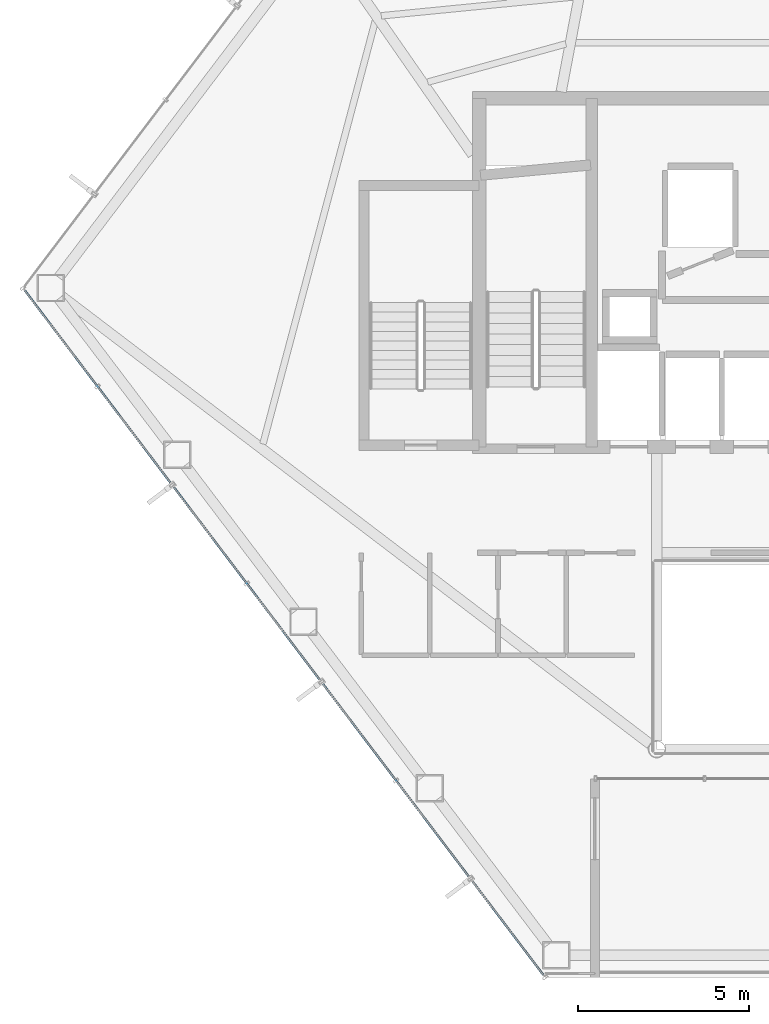
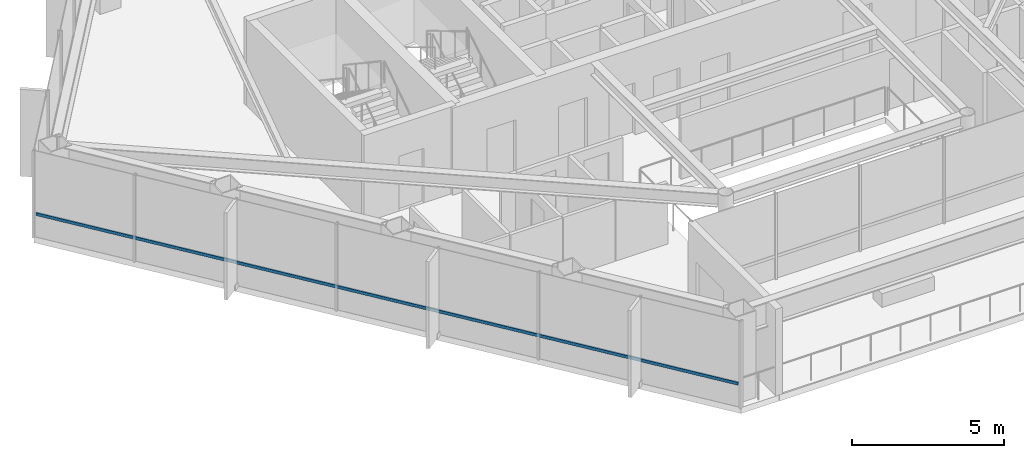
# One storey, part 3 of 28: 1 member, 1 element without a shape of its own.
"""IFC4 building model written with IfcOpenShell, lengths in metres."""

from ifc_helpers import new_model, si_unit, direction, frame, origin, origin_2d, place, context, subcontext, project, spatial, hollow_rectangle, extrude, material, layer, layer_set, material_profile, profile_set, type_object, element, aggregate, save


model = new_model("IFC4")

# Units and contexts
model_context = context("Model", 3, precision=1e-05, world=origin(), true_north=direction((0.0, 1.0)))
body_context = subcontext(model_context, "Body", "Model", "MODEL_VIEW")
ifc_project = project(units=[si_unit("LENGTHUNIT", "METRE"), si_unit("AREAUNIT", "SQUARE_METRE"), si_unit("VOLUMEUNIT", "CUBIC_METRE"), si_unit("PLANEANGLEUNIT", "RADIAN"), si_unit("MASSUNIT", "GRAM", prefix="KILO")], contexts=[model_context])

# Site, building, storey
site_placement = place(None, origin())
site = spatial("IfcSite", under=ifc_project, at=site_placement, CompositionType="ELEMENT")
building_placement = place(site_placement, origin())
building = spatial("IfcBuilding", under=site, at=building_placement, Name="Zarrinselat Tower", CompositionType="ELEMENT")
storey_placement = place(building_placement, frame((0.0, 0.0, 157.080078125)))
storey = spatial("IfcBuildingStorey", under=building, at=storey_placement, Name="L38", CompositionType="ELEMENT", Elevation=157.080078125)

# Curtain wall, member
ifc_material_1 = material(Name="Extruded Aluminium Alloy EN AW-6063 T6", Category="aluminium")
ifc_layer = layer(ifc_material_1, 0.175048828125)
ifc_layer_set = layer_set([ifc_layer], Name="Extruded Aluminium Alloy EN AW-6063 T6")
curtain_wall_type = type_object("IfcCurtainWallType", Name="CWS-HTL", PredefinedType="NOTDEFINED", material=ifc_layer_set)
curtain_wall_placement = place(storey_placement, origin())
curtain_wall = element("IfcCurtainWall", 1, at=curtain_wall_placement, inside=storey, type_object=curtain_wall_type, Name="L38 Unitised Curtain Wall CW-L38-E01", PredefinedType="NOTDEFINED")
ifc_material_2 = material(Name="Extruded Aluminium Alloy EN AW-6063 T6", Category="aluminium")
ifc_material_profile = material_profile(ifc_material_2, hollow_rectangle(XDim=0.06005859375, YDim=0.1201171875, WallThickness=0.00390625, at=origin_2d()), Name="RHS 120x60x4")
ifc_profile_set = profile_set([ifc_material_profile], Name="Extruded Aluminium Alloy EN AW-6063 T6")
member_type = type_object("IfcMemberType", Name="MEM-CW-TRN2", PredefinedType="USERDEFINED", material=ifc_profile_set)
member_placement = place(storey_placement, frame((30.47705078125, 17.795166015625, 0.949951171875), z_axis=(-0.603860306601, 0.797090164355, 0.0), x_axis=(-0.797090164355, -0.603860306601, 0.0)))
member = element("IfcMember", 2, at=member_placement, type_object=member_type, Name="CW-L38-E01 Transom 1", ObjectType="TRANSOM", PredefinedType="USERDEFINED", context=body_context, shape_type="SweptSolid", body=[
    extrude(hollow_rectangle(XDim=0.06005859375, YDim=0.1201171875, WallThickness=0.00390625, at=origin_2d()), origin(), (0.0, 0.0, 1.0), 25.13037109375),
])
aggregate(curtain_wall, [member])

save(model, "model.ifc")
